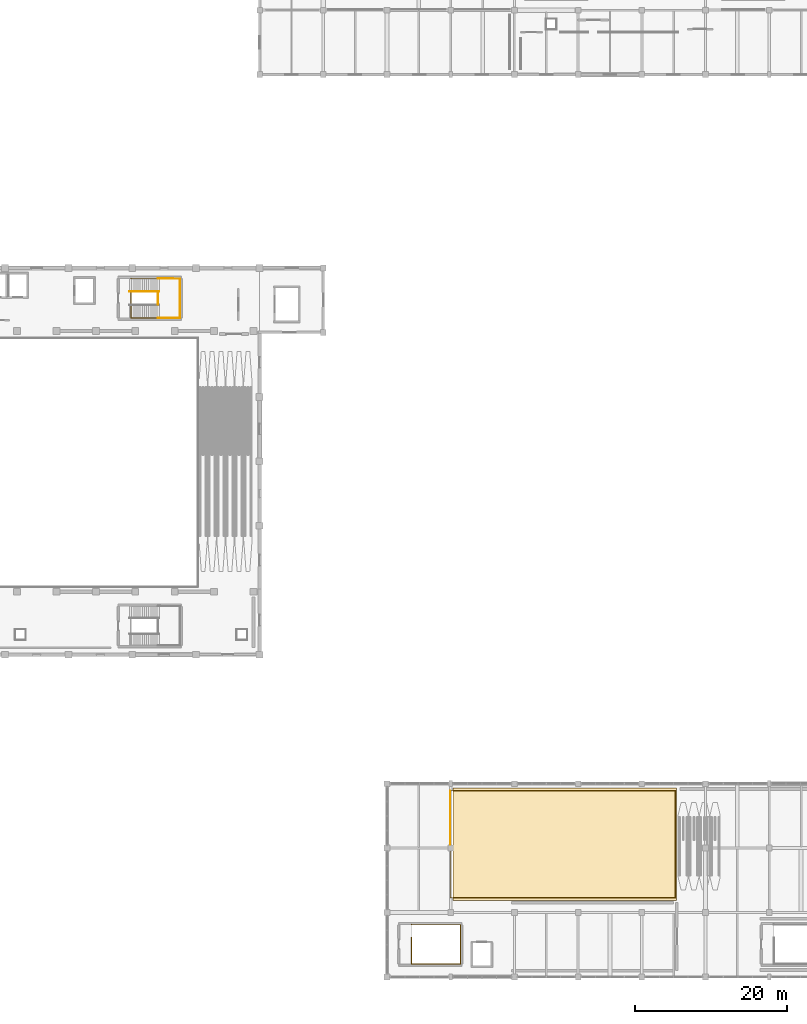
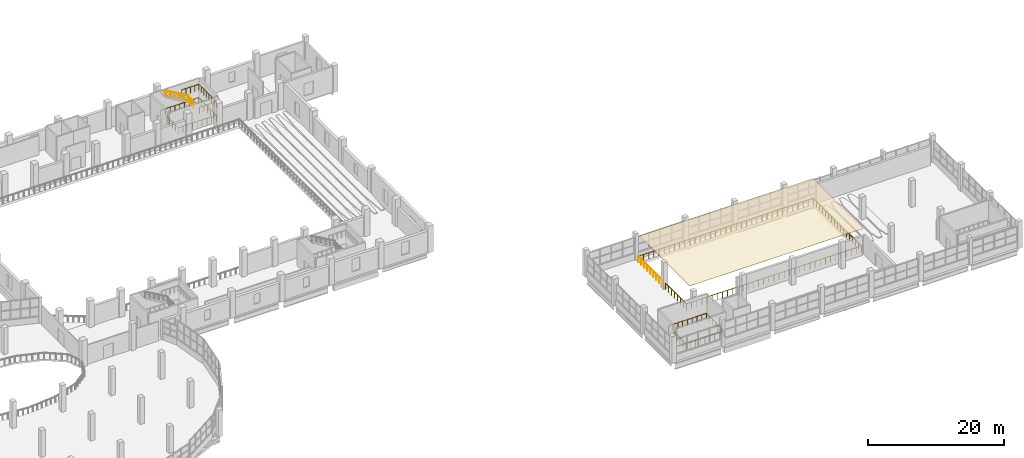
# One storey, part 74 of 77: 7 railings, 1 covering.
"""IFC4 building model written with IfcOpenShell, lengths in metres."""

from ifc_helpers import new_model, si_unit, direction, frame, origin, origin_2d, place, context, subcontext, project, spatial, polyline, circle, outline, extrude, material, layer, layer_set, type_object, element, save


model = new_model("IFC4")

# Units and contexts
model_context = context("Model", 3, precision=1e-05, world=origin(), true_north=direction((0.0, 1.0)))
body_context = subcontext(model_context, "Body", "Model", "MODEL_VIEW")
ifc_project = project(units=[si_unit("LENGTHUNIT", "METRE"), si_unit("AREAUNIT", "SQUARE_METRE"), si_unit("VOLUMEUNIT", "CUBIC_METRE"), si_unit("PLANEANGLEUNIT", "RADIAN"), si_unit("MASSUNIT", "GRAM", prefix="KILO")], contexts=[model_context])

# Site, building, storey
site_placement = place(None, origin())
site = spatial("IfcSite", under=ifc_project, at=site_placement, CompositionType="ELEMENT")
building_placement = place(site_placement, origin())
building = spatial("IfcBuilding", under=site, at=building_placement, Name="Solvento Point Concert Hall", CompositionType="ELEMENT")
storey_placement = place(building_placement, frame((0.0, 0.0, 10.199951171875)))
storey = spatial("IfcBuildingStorey", under=building, at=storey_placement, Name="L02", CompositionType="ELEMENT", Elevation=10.199951171875)

# Covering
ifc_material_1 = material(Name="Suspended Timber-Slat Acoustic Ceiling", Category="wood")
ifc_layer = layer(ifc_material_1, 0.050048828125)
ifc_layer_set = layer_set([ifc_layer], Name="Suspended Timber-Slat Acoustic Ceiling")
covering_type = type_object("IfcCoveringType", Name="AcousticCeiling_Timber", PredefinedType="CEILING", material=ifc_layer_set)
covering_placement = place(storey_placement, frame((0.0, 0.0, 4.35009765625)))
element("IfcCovering", 1, at=covering_placement, inside=storey, type_object=covering_type, Name="Acoustic timber reflector ceiling CLG-V3-CHM", PredefinedType="CEILING", context=body_context, shape_type="SweptSolid", body=[
    extrude(outline(polyline([(158.699951171875, 10.10009765625), (188.199951171875, 10.10009765625), (188.199951171875, 24.89990234375), (158.699951171875, 24.89990234375), (158.699951171875, 10.10009765625)])), origin(), (0.0, 0.0, 1.0), 0.050048828125),
])

# Railings
ifc_material_2 = material(Name="Brushed Stainless Steel Balustrade", Category="steel")
railing_type_1 = type_object("IfcRailingType", Name="StairHandrail_915", PredefinedType="HANDRAIL", material=ifc_material_2)
railing_1_placement = place(storey_placement, frame((119.969970703125, 90.389892578125, 2.56005859375)))
element("IfcRailing", 2, at=railing_1_placement, inside=storey, type_object=railing_type_1, Name="Stair handrail HR-01 ST-03 L02 F2", PredefinedType="HANDRAIL", context=body_context, shape_type="SweptSolid", body=[
    extrude(circle(Radius=0.0224609375, at=origin_2d()), frame((0.0, 0.0, 0.892578125), z_axis=(-0.868239814368, 0.0, 0.496144761885), x_axis=(0.0, -1.0, 0.0)), (0.0, 0.0, 1.0), 4.514892578125),
    extrude(circle(Radius=0.01904296875, at=origin_2d()), origin(), (0.0, 0.0, 1.0), 0.8701171875),
    extrude(circle(Radius=0.01904296875, at=origin_2d()), frame((-0.783935546875, 0.0, 0.447998046875)), (0.0, 0.0, 1.0), 0.8701171875),
    extrude(circle(Radius=0.01904296875, at=origin_2d()), frame((-1.56787109375, 0.0, 0.89599609375)), (0.0, 0.0, 1.0), 0.8701171875),
    extrude(circle(Radius=0.01904296875, at=origin_2d()), frame((-2.35205078125, 0.0, 1.343994140625)), (0.0, 0.0, 1.0), 0.8701171875),
    extrude(circle(Radius=0.01904296875, at=origin_2d()), frame((-3.135986328125, 0.0, 1.7919921875)), (0.0, 0.0, 1.0), 0.8701171875),
    extrude(circle(Radius=0.01904296875, at=origin_2d()), frame((-3.919921875, 0.0, 2.239990234375)), (0.0, 0.0, 1.0), 0.8701171875),
])
ifc_material_3 = material(Name="Brushed Stainless Steel Balustrade", Category="steel")
railing_type_2 = type_object("IfcRailingType", Name="StairWellGuard_1100", PredefinedType="BALUSTRADE", material=ifc_material_3)
railing_2_placement = place(storey_placement, frame((116.219970703125, 90.340087890625, 0.0)))
element("IfcRailing", 3, at=railing_2_placement, inside=storey, type_object=railing_type_2, Name="Stairwell guard GR-02 ST-03 L02", PredefinedType="BALUSTRADE", context=body_context, shape_type="SweptSolid", body=[
    extrude(circle(Radius=0.02392578125, at=origin_2d()), frame((0.0, 0.0, 1.09619140625), z_axis=(0.0, -1.0, 0.0), x_axis=(1.0, 0.0, 0.0)), (0.0, 0.0, 1.0), 3.420166015625),
    extrude(circle(Radius=0.02392578125, at=origin_2d()), frame((0.0, -3.420166015625, 1.09619140625), z_axis=(1.0, 0.0, 0.0), x_axis=(0.0, 1.0, 0.0)), (0.0, 0.0, 1.0), 6.4599609375),
    extrude(circle(Radius=0.02392578125, at=origin_2d()), frame((6.4599609375, -3.420166015625, 1.09619140625), z_axis=(0.0, 1.0, 0.0), x_axis=(-1.0, 0.0, 0.0)), (0.0, 0.0, 1.0), 5.16015625),
    extrude(circle(Radius=0.02392578125, at=origin_2d()), frame((6.4599609375, 1.739990234375, 1.09619140625), z_axis=(-1.0, 0.0, 0.0), x_axis=(0.0, -1.0, 0.0)), (0.0, 0.0, 1.0), 6.4599609375),
    extrude(circle(Radius=0.02392578125, at=origin_2d()), frame((0.0, 1.739990234375, 1.09619140625), z_axis=(0.0, 1.0, 0.0), x_axis=(-1.0, 0.0, 0.0)), (0.0, 0.0, 1.0), 0.02001953125),
    extrude(circle(Radius=0.02099609375, at=origin_2d()), origin(), (0.0, 0.0, 1.0), 1.072021484375),
    extrude(circle(Radius=0.02099609375, at=origin_2d()), frame((0.0, -0.85498046875, 0.0)), (0.0, 0.0, 1.0), 1.072021484375),
    extrude(circle(Radius=0.02099609375, at=origin_2d()), frame((0.0, -1.7099609375, 0.0)), (0.0, 0.0, 1.0), 1.072021484375),
    extrude(circle(Radius=0.02099609375, at=origin_2d()), frame((0.0, -2.565185546875, 0.0)), (0.0, 0.0, 1.0), 1.072021484375),
    extrude(circle(Radius=0.02099609375, at=origin_2d()), frame((0.0, -3.420166015625, 0.0)), (0.0, 0.0, 1.0), 1.072021484375),
    extrude(circle(Radius=0.02099609375, at=origin_2d()), frame((0.8076171875, -3.420166015625, 0.0)), (0.0, 0.0, 1.0), 1.072021484375),
    extrude(circle(Radius=0.02099609375, at=origin_2d()), frame((1.614990234375, -3.420166015625, 0.0)), (0.0, 0.0, 1.0), 1.072021484375),
    extrude(circle(Radius=0.02099609375, at=origin_2d()), frame((2.42236328125, -3.420166015625, 0.0)), (0.0, 0.0, 1.0), 1.072021484375),
    extrude(circle(Radius=0.02099609375, at=origin_2d()), frame((3.22998046875, -3.420166015625, 0.0)), (0.0, 0.0, 1.0), 1.072021484375),
    extrude(circle(Radius=0.02099609375, at=origin_2d()), frame((4.03759765625, -3.420166015625, 0.0)), (0.0, 0.0, 1.0), 1.072021484375),
    extrude(circle(Radius=0.02099609375, at=origin_2d()), frame((4.844970703125, -3.420166015625, 0.0)), (0.0, 0.0, 1.0), 1.072021484375),
    extrude(circle(Radius=0.02099609375, at=origin_2d()), frame((5.65234375, -3.420166015625, 0.0)), (0.0, 0.0, 1.0), 1.072021484375),
    extrude(circle(Radius=0.02099609375, at=origin_2d()), frame((6.4599609375, -3.420166015625, 0.0)), (0.0, 0.0, 1.0), 1.072021484375),
    extrude(circle(Radius=0.02099609375, at=origin_2d()), frame((6.4599609375, -2.56005859375, 0.0)), (0.0, 0.0, 1.0), 1.072021484375),
    extrude(circle(Radius=0.02099609375, at=origin_2d()), frame((6.4599609375, -1.7001953125, 0.0)), (0.0, 0.0, 1.0), 1.072021484375),
    extrude(circle(Radius=0.02099609375, at=origin_2d()), frame((6.4599609375, -0.840087890625, 0.0)), (0.0, 0.0, 1.0), 1.072021484375),
    extrude(circle(Radius=0.02099609375, at=origin_2d()), frame((6.4599609375, 0.02001953125, 0.0)), (0.0, 0.0, 1.0), 1.072021484375),
    extrude(circle(Radius=0.02099609375, at=origin_2d()), frame((6.4599609375, 0.8798828125, 0.0)), (0.0, 0.0, 1.0), 1.072021484375),
    extrude(circle(Radius=0.02099609375, at=origin_2d()), frame((6.4599609375, 1.739990234375, 0.0)), (0.0, 0.0, 1.0), 1.072021484375),
    extrude(circle(Radius=0.02099609375, at=origin_2d()), frame((5.65234375, 1.739990234375, 0.0)), (0.0, 0.0, 1.0), 1.072021484375),
    extrude(circle(Radius=0.02099609375, at=origin_2d()), frame((4.844970703125, 1.739990234375, 0.0)), (0.0, 0.0, 1.0), 1.072021484375),
    extrude(circle(Radius=0.02099609375, at=origin_2d()), frame((4.03759765625, 1.739990234375, 0.0)), (0.0, 0.0, 1.0), 1.072021484375),
    extrude(circle(Radius=0.02099609375, at=origin_2d()), frame((3.22998046875, 1.739990234375, 0.0)), (0.0, 0.0, 1.0), 1.072021484375),
    extrude(circle(Radius=0.02099609375, at=origin_2d()), frame((2.42236328125, 1.739990234375, 0.0)), (0.0, 0.0, 1.0), 1.072021484375),
    extrude(circle(Radius=0.02099609375, at=origin_2d()), frame((1.614990234375, 1.739990234375, 0.0)), (0.0, 0.0, 1.0), 1.072021484375),
    extrude(circle(Radius=0.02099609375, at=origin_2d()), frame((0.8076171875, 1.739990234375, 0.0)), (0.0, 0.0, 1.0), 1.072021484375),
    extrude(circle(Radius=0.02099609375, at=origin_2d()), frame((0.0, 1.739990234375, 0.0)), (0.0, 0.0, 1.0), 1.072021484375),
    extrude(circle(Radius=0.02099609375, at=origin_2d()), frame((0.0, 1.760009765625, 0.0)), (0.0, 0.0, 1.0), 1.072021484375),
])
railing_3_placement = place(storey_placement, frame((119.800048828125, 86.89990234375, 2.400146484375)))
element("IfcRailing", 4, at=railing_3_placement, inside=storey, type_object=railing_type_2, Name="Half-landing perimeter guard GR-02 ST-03 L02", PredefinedType="BALUSTRADE", context=body_context, shape_type="SweptSolid", body=[
    extrude(circle(Radius=0.02392578125, at=origin_2d()), frame((0.0, 0.0, 1.09619140625), z_axis=(0.999976171564, 0.006903354611, 0.0), x_axis=(-0.006903354611, 0.999976171564, 0.0)), (0.0, 0.0, 1.0), 2.89990234375),
    extrude(circle(Radius=0.02392578125, at=origin_2d()), frame((2.89990234375, 0.02001953125, 1.09619140625), z_axis=(0.0, 1.0, 0.0), x_axis=(-1.0, 0.0, 0.0)), (0.0, 0.0, 1.0), 5.16015625),
    extrude(circle(Radius=0.02392578125, at=origin_2d()), frame((2.89990234375, 5.18017578125, 1.09619140625), z_axis=(-0.999976171564, 0.006903354611, 0.0), x_axis=(-0.006903354611, -0.999976171564, 0.0)), (0.0, 0.0, 1.0), 2.89990234375),
    extrude(circle(Radius=0.02099609375, at=origin_2d()), origin(), (0.0, 0.0, 1.0), 1.072021484375),
    extrude(circle(Radius=0.02099609375, at=origin_2d()), frame((0.72509765625, 0.0048828125, 0.0)), (0.0, 0.0, 1.0), 1.072021484375),
    extrude(circle(Radius=0.02099609375, at=origin_2d()), frame((1.449951171875, 0.010009765625, 0.0)), (0.0, 0.0, 1.0), 1.072021484375),
    extrude(circle(Radius=0.02099609375, at=origin_2d()), frame((2.1748046875, 0.01513671875, 0.0)), (0.0, 0.0, 1.0), 1.072021484375),
    extrude(circle(Radius=0.02099609375, at=origin_2d()), frame((2.89990234375, 0.02001953125, 0.0)), (0.0, 0.0, 1.0), 1.072021484375),
    extrude(circle(Radius=0.02099609375, at=origin_2d()), frame((2.89990234375, 0.757080078125, 0.0)), (0.0, 0.0, 1.0), 1.072021484375),
    extrude(circle(Radius=0.02099609375, at=origin_2d()), frame((2.89990234375, 1.494384765625, 0.0)), (0.0, 0.0, 1.0), 1.072021484375),
    extrude(circle(Radius=0.02099609375, at=origin_2d()), frame((2.89990234375, 2.2314453125, 0.0)), (0.0, 0.0, 1.0), 1.072021484375),
    extrude(circle(Radius=0.02099609375, at=origin_2d()), frame((2.89990234375, 2.96875, 0.0)), (0.0, 0.0, 1.0), 1.072021484375),
    extrude(circle(Radius=0.02099609375, at=origin_2d()), frame((2.89990234375, 3.705810546875, 0.0)), (0.0, 0.0, 1.0), 1.072021484375),
    extrude(circle(Radius=0.02099609375, at=origin_2d()), frame((2.89990234375, 4.443115234375, 0.0)), (0.0, 0.0, 1.0), 1.072021484375),
    extrude(circle(Radius=0.02099609375, at=origin_2d()), frame((2.89990234375, 5.18017578125, 0.0)), (0.0, 0.0, 1.0), 1.072021484375),
    extrude(circle(Radius=0.02099609375, at=origin_2d()), frame((2.1748046875, 5.18505859375, 0.0)), (0.0, 0.0, 1.0), 1.072021484375),
    extrude(circle(Radius=0.02099609375, at=origin_2d()), frame((1.449951171875, 5.190185546875, 0.0)), (0.0, 0.0, 1.0), 1.072021484375),
    extrude(circle(Radius=0.02099609375, at=origin_2d()), frame((0.72509765625, 5.1953125, 0.0)), (0.0, 0.0, 1.0), 1.072021484375),
    extrude(circle(Radius=0.02099609375, at=origin_2d()), frame((0.0, 5.2001953125, 0.0)), (0.0, 0.0, 1.0), 1.072021484375),
])
railing_4_placement = place(storey_placement, frame((119.800048828125, 88.659912109375, 2.400146484375)))
element("IfcRailing", 5, at=railing_4_placement, inside=storey, type_object=railing_type_2, Name="Half-landing slot guard GR-02 ST-03 L02", PredefinedType="BALUSTRADE", context=body_context, shape_type="SweptSolid", body=[
    extrude(circle(Radius=0.02392578125, at=origin_2d()), frame((0.0, 0.0, 1.09619140625), z_axis=(0.0, 1.0, 0.0), x_axis=(-1.0, 0.0, 0.0)), (0.0, 0.0, 1.0), 1.68017578125),
    extrude(circle(Radius=0.02099609375, at=origin_2d()), origin(), (0.0, 0.0, 1.0), 1.072021484375),
    extrude(circle(Radius=0.02099609375, at=origin_2d()), frame((0.0, 0.56005859375, 0.0)), (0.0, 0.0, 1.0), 1.072021484375),
    extrude(circle(Radius=0.02099609375, at=origin_2d()), frame((0.0, 1.1201171875, 0.0)), (0.0, 0.0, 1.0), 1.072021484375),
    extrude(circle(Radius=0.02099609375, at=origin_2d()), frame((0.0, 1.68017578125, 0.0)), (0.0, 0.0, 1.0), 1.072021484375),
])
railing_5_placement = place(storey_placement, frame((153.219970703125, 5.219970703125, 0.0)))
element("IfcRailing", 6, at=railing_5_placement, inside=storey, type_object=railing_type_2, Name="Stairwell guard GR-02 ST-08 L02", PredefinedType="BALUSTRADE", context=body_context, shape_type="SweptSolid", body=[
    extrude(circle(Radius=0.02392578125, at=origin_2d()), frame((0.0, 0.0, 1.09619140625), z_axis=(0.0, -1.0, 0.0), x_axis=(1.0, 0.0, 0.0)), (0.0, 0.0, 1.0), 3.5),
    extrude(circle(Radius=0.02392578125, at=origin_2d()), frame((0.0, -3.5, 1.09619140625), z_axis=(1.0, 0.0, 0.0), x_axis=(0.0, 1.0, 0.0)), (0.0, 0.0, 1.0), 6.4599609375),
    extrude(circle(Radius=0.02392578125, at=origin_2d()), frame((6.4599609375, -3.5, 1.09619140625), z_axis=(0.0, 1.0, 0.0), x_axis=(-1.0, 0.0, 0.0)), (0.0, 0.0, 1.0), 5.159912109375),
    extrude(circle(Radius=0.02392578125, at=origin_2d()), frame((6.4599609375, 1.659912109375, 1.09619140625), z_axis=(-1.0, 0.0, 0.0), x_axis=(0.0, -1.0, 0.0)), (0.0, 0.0, 1.0), 6.4599609375),
    extrude(circle(Radius=0.02392578125, at=origin_2d()), frame((0.0, 1.659912109375, 1.09619140625), z_axis=(0.0, 1.0, 0.0), x_axis=(-1.0, 0.0, 0.0)), (0.0, 0.0, 1.0), 0.02001953125),
    extrude(circle(Radius=0.02099609375, at=origin_2d()), origin(), (0.0, 0.0, 1.0), 1.072021484375),
    extrude(circle(Radius=0.02099609375, at=origin_2d()), frame((0.0, -0.875, 0.0)), (0.0, 0.0, 1.0), 1.072021484375),
    extrude(circle(Radius=0.02099609375, at=origin_2d()), frame((0.0, -1.75, 0.0)), (0.0, 0.0, 1.0), 1.072021484375),
    extrude(circle(Radius=0.02099609375, at=origin_2d()), frame((0.0, -2.625, 0.0)), (0.0, 0.0, 1.0), 1.072021484375),
    extrude(circle(Radius=0.02099609375, at=origin_2d()), frame((0.0, -3.5, 0.0)), (0.0, 0.0, 1.0), 1.072021484375),
    extrude(circle(Radius=0.02099609375, at=origin_2d()), frame((0.8076171875, -3.5, 0.0)), (0.0, 0.0, 1.0), 1.072021484375),
    extrude(circle(Radius=0.02099609375, at=origin_2d()), frame((1.614990234375, -3.5, 0.0)), (0.0, 0.0, 1.0), 1.072021484375),
    extrude(circle(Radius=0.02099609375, at=origin_2d()), frame((2.42236328125, -3.5, 0.0)), (0.0, 0.0, 1.0), 1.072021484375),
    extrude(circle(Radius=0.02099609375, at=origin_2d()), frame((3.22998046875, -3.5, 0.0)), (0.0, 0.0, 1.0), 1.072021484375),
    extrude(circle(Radius=0.02099609375, at=origin_2d()), frame((4.03759765625, -3.5, 0.0)), (0.0, 0.0, 1.0), 1.072021484375),
    extrude(circle(Radius=0.02099609375, at=origin_2d()), frame((4.844970703125, -3.5, 0.0)), (0.0, 0.0, 1.0), 1.072021484375),
    extrude(circle(Radius=0.02099609375, at=origin_2d()), frame((5.65234375, -3.5, 0.0)), (0.0, 0.0, 1.0), 1.072021484375),
    extrude(circle(Radius=0.02099609375, at=origin_2d()), frame((6.4599609375, -3.5, 0.0)), (0.0, 0.0, 1.0), 1.072021484375),
    extrude(circle(Radius=0.02099609375, at=origin_2d()), frame((6.4599609375, -2.64013671875, 0.0)), (0.0, 0.0, 1.0), 1.072021484375),
    extrude(circle(Radius=0.02099609375, at=origin_2d()), frame((6.4599609375, -1.780029296875, 0.0)), (0.0, 0.0, 1.0), 1.072021484375),
    extrude(circle(Radius=0.02099609375, at=origin_2d()), frame((6.4599609375, -0.919921875, 0.0)), (0.0, 0.0, 1.0), 1.072021484375),
    extrude(circle(Radius=0.02099609375, at=origin_2d()), frame((6.4599609375, -0.06005859375, 0.0)), (0.0, 0.0, 1.0), 1.072021484375),
    extrude(circle(Radius=0.02099609375, at=origin_2d()), frame((6.4599609375, 0.7998046875, 0.0)), (0.0, 0.0, 1.0), 1.072021484375),
    extrude(circle(Radius=0.02099609375, at=origin_2d()), frame((6.4599609375, 1.659912109375, 0.0)), (0.0, 0.0, 1.0), 1.072021484375),
    extrude(circle(Radius=0.02099609375, at=origin_2d()), frame((5.65234375, 1.659912109375, 0.0)), (0.0, 0.0, 1.0), 1.072021484375),
    extrude(circle(Radius=0.02099609375, at=origin_2d()), frame((4.844970703125, 1.659912109375, 0.0)), (0.0, 0.0, 1.0), 1.072021484375),
    extrude(circle(Radius=0.02099609375, at=origin_2d()), frame((4.03759765625, 1.659912109375, 0.0)), (0.0, 0.0, 1.0), 1.072021484375),
    extrude(circle(Radius=0.02099609375, at=origin_2d()), frame((3.22998046875, 1.659912109375, 0.0)), (0.0, 0.0, 1.0), 1.072021484375),
    extrude(circle(Radius=0.02099609375, at=origin_2d()), frame((2.42236328125, 1.659912109375, 0.0)), (0.0, 0.0, 1.0), 1.072021484375),
    extrude(circle(Radius=0.02099609375, at=origin_2d()), frame((1.614990234375, 1.659912109375, 0.0)), (0.0, 0.0, 1.0), 1.072021484375),
    extrude(circle(Radius=0.02099609375, at=origin_2d()), frame((0.8076171875, 1.659912109375, 0.0)), (0.0, 0.0, 1.0), 1.072021484375),
    extrude(circle(Radius=0.02099609375, at=origin_2d()), frame((0.0, 1.659912109375, 0.0)), (0.0, 0.0, 1.0), 1.072021484375),
    extrude(circle(Radius=0.02099609375, at=origin_2d()), frame((0.0, 1.679931640625, 0.0)), (0.0, 0.0, 1.0), 1.072021484375),
])
ifc_material_4 = material(Name="Brushed Stainless Steel Balustrade", Category="steel")
railing_type_3 = type_object("IfcRailingType", Name="TerraceBalustrade_1100", PredefinedType="BALUSTRADE", material=ifc_material_4)
railing_6_placement = place(storey_placement, frame((158.340087890625, 24.56005859375, 0.0)))
element("IfcRailing", 7, at=railing_6_placement, inside=storey, type_object=railing_type_3, Name="Guard balustrade GR-01 L02", PredefinedType="BALUSTRADE", context=body_context, shape_type="SweptSolid", body=[
    extrude(circle(Radius=0.02392578125, at=origin_2d()), frame((0.0, 0.0, 1.09619140625), z_axis=(0.0, -1.0, 0.0), x_axis=(1.0, 0.0, 0.0)), (0.0, 0.0, 1.0), 7.135009765625),
    extrude(circle(Radius=0.02099609375, at=origin_2d()), origin(), (0.0, 0.0, 1.0), 1.072021484375),
    extrude(circle(Radius=0.02099609375, at=origin_2d()), frame((0.0, -0.891845703125, 0.0)), (0.0, 0.0, 1.0), 1.072021484375),
    extrude(circle(Radius=0.02099609375, at=origin_2d()), frame((0.0, -1.78369140625, 0.0)), (0.0, 0.0, 1.0), 1.072021484375),
    extrude(circle(Radius=0.02099609375, at=origin_2d()), frame((0.0, -2.675537109375, 0.0)), (0.0, 0.0, 1.0), 1.072021484375),
    extrude(circle(Radius=0.02099609375, at=origin_2d()), frame((0.0, -3.5673828125, 0.0)), (0.0, 0.0, 1.0), 1.072021484375),
    extrude(circle(Radius=0.02099609375, at=origin_2d()), frame((0.0, -4.45947265625, 0.0)), (0.0, 0.0, 1.0), 1.072021484375),
    extrude(circle(Radius=0.02099609375, at=origin_2d()), frame((0.0, -5.351318359375, 0.0)), (0.0, 0.0, 1.0), 1.072021484375),
    extrude(circle(Radius=0.02099609375, at=origin_2d()), frame((0.0, -6.2431640625, 0.0)), (0.0, 0.0, 1.0), 1.072021484375),
    extrude(circle(Radius=0.02099609375, at=origin_2d()), frame((0.0, -7.135009765625, 0.0)), (0.0, 0.0, 1.0), 1.072021484375),
])
railing_7_placement = place(storey_placement, frame((158.340087890625, 16.574951171875, 0.0)))
element("IfcRailing", 8, at=railing_7_placement, inside=storey, type_object=railing_type_3, Name="Guard balustrade GR-01 L02", PredefinedType="BALUSTRADE", context=body_context, shape_type="SweptSolid", body=[
    extrude(circle(Radius=0.02392578125, at=origin_2d()), frame((0.0, 0.0, 1.09619140625), z_axis=(0.0, -1.0, 0.0), x_axis=(1.0, 0.0, 0.0)), (0.0, 0.0, 1.0), 6.135009765625),
    extrude(circle(Radius=0.02392578125, at=origin_2d()), frame((0.0, -6.135009765625, 1.09619140625), z_axis=(1.0, 0.0, 0.0), x_axis=(0.0, 1.0, 0.0)), (0.0, 0.0, 1.0), 29.719970703125),
    extrude(circle(Radius=0.02392578125, at=origin_2d()), frame((29.719970703125, -6.135009765625, 1.09619140625), z_axis=(0.0, 1.0, 0.0), x_axis=(-1.0, 0.0, 0.0)), (0.0, 0.0, 1.0), 14.1201171875),
    extrude(circle(Radius=0.02392578125, at=origin_2d()), frame((29.719970703125, 7.985107421875, 1.09619140625), z_axis=(-1.0, 0.0, 0.0), x_axis=(0.0, -1.0, 0.0)), (0.0, 0.0, 1.0), 29.719970703125),
    extrude(circle(Radius=0.02099609375, at=origin_2d()), origin(), (0.0, 0.0, 1.0), 1.072021484375),
    extrude(circle(Radius=0.02099609375, at=origin_2d()), frame((0.0, -0.87646484375, 0.0)), (0.0, 0.0, 1.0), 1.072021484375),
    extrude(circle(Radius=0.02099609375, at=origin_2d()), frame((0.0, -1.7529296875, 0.0)), (0.0, 0.0, 1.0), 1.072021484375),
    extrude(circle(Radius=0.02099609375, at=origin_2d()), frame((0.0, -2.62939453125, 0.0)), (0.0, 0.0, 1.0), 1.072021484375),
    extrude(circle(Radius=0.02099609375, at=origin_2d()), frame((0.0, -3.505615234375, 0.0)), (0.0, 0.0, 1.0), 1.072021484375),
    extrude(circle(Radius=0.02099609375, at=origin_2d()), frame((0.0, -4.382080078125, 0.0)), (0.0, 0.0, 1.0), 1.072021484375),
    extrude(circle(Radius=0.02099609375, at=origin_2d()), frame((0.0, -5.258544921875, 0.0)), (0.0, 0.0, 1.0), 1.072021484375),
    extrude(circle(Radius=0.02099609375, at=origin_2d()), frame((0.0, -6.135009765625, 0.0)), (0.0, 0.0, 1.0), 1.072021484375),
    extrude(circle(Radius=0.02099609375, at=origin_2d()), frame((0.8740234375, -6.135009765625, 0.0)), (0.0, 0.0, 1.0), 1.072021484375),
    extrude(circle(Radius=0.02099609375, at=origin_2d()), frame((1.748291015625, -6.135009765625, 0.0)), (0.0, 0.0, 1.0), 1.072021484375),
    extrude(circle(Radius=0.02099609375, at=origin_2d()), frame((2.622314453125, -6.135009765625, 0.0)), (0.0, 0.0, 1.0), 1.072021484375),
    extrude(circle(Radius=0.02099609375, at=origin_2d()), frame((3.49658203125, -6.135009765625, 0.0)), (0.0, 0.0, 1.0), 1.072021484375),
    extrude(circle(Radius=0.02099609375, at=origin_2d()), frame((4.37060546875, -6.135009765625, 0.0)), (0.0, 0.0, 1.0), 1.072021484375),
    extrude(circle(Radius=0.02099609375, at=origin_2d()), frame((5.24462890625, -6.135009765625, 0.0)), (0.0, 0.0, 1.0), 1.072021484375),
    extrude(circle(Radius=0.02099609375, at=origin_2d()), frame((6.118896484375, -6.135009765625, 0.0)), (0.0, 0.0, 1.0), 1.072021484375),
    extrude(circle(Radius=0.02099609375, at=origin_2d()), frame((6.992919921875, -6.135009765625, 0.0)), (0.0, 0.0, 1.0), 1.072021484375),
    extrude(circle(Radius=0.02099609375, at=origin_2d()), frame((7.866943359375, -6.135009765625, 0.0)), (0.0, 0.0, 1.0), 1.072021484375),
    extrude(circle(Radius=0.02099609375, at=origin_2d()), frame((8.7412109375, -6.135009765625, 0.0)), (0.0, 0.0, 1.0), 1.072021484375),
    extrude(circle(Radius=0.02099609375, at=origin_2d()), frame((9.615234375, -6.135009765625, 0.0)), (0.0, 0.0, 1.0), 1.072021484375),
    extrude(circle(Radius=0.02099609375, at=origin_2d()), frame((10.489501953125, -6.135009765625, 0.0)), (0.0, 0.0, 1.0), 1.072021484375),
    extrude(circle(Radius=0.02099609375, at=origin_2d()), frame((11.363525390625, -6.135009765625, 0.0)), (0.0, 0.0, 1.0), 1.072021484375),
    extrude(circle(Radius=0.02099609375, at=origin_2d()), frame((12.237548828125, -6.135009765625, 0.0)), (0.0, 0.0, 1.0), 1.072021484375),
    extrude(circle(Radius=0.02099609375, at=origin_2d()), frame((13.11181640625, -6.135009765625, 0.0)), (0.0, 0.0, 1.0), 1.072021484375),
    extrude(circle(Radius=0.02099609375, at=origin_2d()), frame((13.98583984375, -6.135009765625, 0.0)), (0.0, 0.0, 1.0), 1.072021484375),
    extrude(circle(Radius=0.02099609375, at=origin_2d()), frame((14.85986328125, -6.135009765625, 0.0)), (0.0, 0.0, 1.0), 1.072021484375),
    extrude(circle(Radius=0.02099609375, at=origin_2d()), frame((15.734130859375, -6.135009765625, 0.0)), (0.0, 0.0, 1.0), 1.072021484375),
    extrude(circle(Radius=0.02099609375, at=origin_2d()), frame((16.608154296875, -6.135009765625, 0.0)), (0.0, 0.0, 1.0), 1.072021484375),
    extrude(circle(Radius=0.02099609375, at=origin_2d()), frame((17.482421875, -6.135009765625, 0.0)), (0.0, 0.0, 1.0), 1.072021484375),
    extrude(circle(Radius=0.02099609375, at=origin_2d()), frame((18.3564453125, -6.135009765625, 0.0)), (0.0, 0.0, 1.0), 1.072021484375),
    extrude(circle(Radius=0.02099609375, at=origin_2d()), frame((19.23046875, -6.135009765625, 0.0)), (0.0, 0.0, 1.0), 1.072021484375),
    extrude(circle(Radius=0.02099609375, at=origin_2d()), frame((20.104736328125, -6.135009765625, 0.0)), (0.0, 0.0, 1.0), 1.072021484375),
    extrude(circle(Radius=0.02099609375, at=origin_2d()), frame((20.978759765625, -6.135009765625, 0.0)), (0.0, 0.0, 1.0), 1.072021484375),
    extrude(circle(Radius=0.02099609375, at=origin_2d()), frame((21.85302734375, -6.135009765625, 0.0)), (0.0, 0.0, 1.0), 1.072021484375),
    extrude(circle(Radius=0.02099609375, at=origin_2d()), frame((22.72705078125, -6.135009765625, 0.0)), (0.0, 0.0, 1.0), 1.072021484375),
    extrude(circle(Radius=0.02099609375, at=origin_2d()), frame((23.60107421875, -6.135009765625, 0.0)), (0.0, 0.0, 1.0), 1.072021484375),
    extrude(circle(Radius=0.02099609375, at=origin_2d()), frame((24.475341796875, -6.135009765625, 0.0)), (0.0, 0.0, 1.0), 1.072021484375),
    extrude(circle(Radius=0.02099609375, at=origin_2d()), frame((25.349365234375, -6.135009765625, 0.0)), (0.0, 0.0, 1.0), 1.072021484375),
    extrude(circle(Radius=0.02099609375, at=origin_2d()), frame((26.223388671875, -6.135009765625, 0.0)), (0.0, 0.0, 1.0), 1.072021484375),
    extrude(circle(Radius=0.02099609375, at=origin_2d()), frame((27.09765625, -6.135009765625, 0.0)), (0.0, 0.0, 1.0), 1.072021484375),
    extrude(circle(Radius=0.02099609375, at=origin_2d()), frame((27.9716796875, -6.135009765625, 0.0)), (0.0, 0.0, 1.0), 1.072021484375),
    extrude(circle(Radius=0.02099609375, at=origin_2d()), frame((28.845947265625, -6.135009765625, 0.0)), (0.0, 0.0, 1.0), 1.072021484375),
    extrude(circle(Radius=0.02099609375, at=origin_2d()), frame((29.719970703125, -6.135009765625, 0.0)), (0.0, 0.0, 1.0), 1.072021484375),
    extrude(circle(Radius=0.02099609375, at=origin_2d()), frame((29.719970703125, -5.25244140625, 0.0)), (0.0, 0.0, 1.0), 1.072021484375),
    extrude(circle(Radius=0.02099609375, at=origin_2d()), frame((29.719970703125, -4.3701171875, 0.0)), (0.0, 0.0, 1.0), 1.072021484375),
    extrude(circle(Radius=0.02099609375, at=origin_2d()), frame((29.719970703125, -3.487548828125, 0.0)), (0.0, 0.0, 1.0), 1.072021484375),
    extrude(circle(Radius=0.02099609375, at=origin_2d()), frame((29.719970703125, -2.60498046875, 0.0)), (0.0, 0.0, 1.0), 1.072021484375),
    extrude(circle(Radius=0.02099609375, at=origin_2d()), frame((29.719970703125, -1.722412109375, 0.0)), (0.0, 0.0, 1.0), 1.072021484375),
    extrude(circle(Radius=0.02099609375, at=origin_2d()), frame((29.719970703125, -0.83984375, 0.0)), (0.0, 0.0, 1.0), 1.072021484375),
    extrude(circle(Radius=0.02099609375, at=origin_2d()), frame((29.719970703125, 0.04248046875, 0.0)), (0.0, 0.0, 1.0), 1.072021484375),
    extrude(circle(Radius=0.02099609375, at=origin_2d()), frame((29.719970703125, 0.925048828125, 0.0)), (0.0, 0.0, 1.0), 1.072021484375),
    extrude(circle(Radius=0.02099609375, at=origin_2d()), frame((29.719970703125, 1.8076171875, 0.0)), (0.0, 0.0, 1.0), 1.072021484375),
    extrude(circle(Radius=0.02099609375, at=origin_2d()), frame((29.719970703125, 2.68994140625, 0.0)), (0.0, 0.0, 1.0), 1.072021484375),
    extrude(circle(Radius=0.02099609375, at=origin_2d()), frame((29.719970703125, 3.572509765625, 0.0)), (0.0, 0.0, 1.0), 1.072021484375),
    extrude(circle(Radius=0.02099609375, at=origin_2d()), frame((29.719970703125, 4.455078125, 0.0)), (0.0, 0.0, 1.0), 1.072021484375),
    extrude(circle(Radius=0.02099609375, at=origin_2d()), frame((29.719970703125, 5.337646484375, 0.0)), (0.0, 0.0, 1.0), 1.072021484375),
    extrude(circle(Radius=0.02099609375, at=origin_2d()), frame((29.719970703125, 6.22021484375, 0.0)), (0.0, 0.0, 1.0), 1.072021484375),
    extrude(circle(Radius=0.02099609375, at=origin_2d()), frame((29.719970703125, 7.1025390625, 0.0)), (0.0, 0.0, 1.0), 1.072021484375),
    extrude(circle(Radius=0.02099609375, at=origin_2d()), frame((29.719970703125, 7.985107421875, 0.0)), (0.0, 0.0, 1.0), 1.072021484375),
    extrude(circle(Radius=0.02099609375, at=origin_2d()), frame((28.845947265625, 7.985107421875, 0.0)), (0.0, 0.0, 1.0), 1.072021484375),
    extrude(circle(Radius=0.02099609375, at=origin_2d()), frame((27.9716796875, 7.985107421875, 0.0)), (0.0, 0.0, 1.0), 1.072021484375),
    extrude(circle(Radius=0.02099609375, at=origin_2d()), frame((27.09765625, 7.985107421875, 0.0)), (0.0, 0.0, 1.0), 1.072021484375),
    extrude(circle(Radius=0.02099609375, at=origin_2d()), frame((26.223388671875, 7.985107421875, 0.0)), (0.0, 0.0, 1.0), 1.072021484375),
    extrude(circle(Radius=0.02099609375, at=origin_2d()), frame((25.349365234375, 7.985107421875, 0.0)), (0.0, 0.0, 1.0), 1.072021484375),
    extrude(circle(Radius=0.02099609375, at=origin_2d()), frame((24.475341796875, 7.985107421875, 0.0)), (0.0, 0.0, 1.0), 1.072021484375),
    extrude(circle(Radius=0.02099609375, at=origin_2d()), frame((23.60107421875, 7.985107421875, 0.0)), (0.0, 0.0, 1.0), 1.072021484375),
    extrude(circle(Radius=0.02099609375, at=origin_2d()), frame((22.72705078125, 7.985107421875, 0.0)), (0.0, 0.0, 1.0), 1.072021484375),
    extrude(circle(Radius=0.02099609375, at=origin_2d()), frame((21.85302734375, 7.985107421875, 0.0)), (0.0, 0.0, 1.0), 1.072021484375),
    extrude(circle(Radius=0.02099609375, at=origin_2d()), frame((20.978759765625, 7.985107421875, 0.0)), (0.0, 0.0, 1.0), 1.072021484375),
    extrude(circle(Radius=0.02099609375, at=origin_2d()), frame((20.104736328125, 7.985107421875, 0.0)), (0.0, 0.0, 1.0), 1.072021484375),
    extrude(circle(Radius=0.02099609375, at=origin_2d()), frame((19.23046875, 7.985107421875, 0.0)), (0.0, 0.0, 1.0), 1.072021484375),
    extrude(circle(Radius=0.02099609375, at=origin_2d()), frame((18.3564453125, 7.985107421875, 0.0)), (0.0, 0.0, 1.0), 1.072021484375),
    extrude(circle(Radius=0.02099609375, at=origin_2d()), frame((17.482421875, 7.985107421875, 0.0)), (0.0, 0.0, 1.0), 1.072021484375),
    extrude(circle(Radius=0.02099609375, at=origin_2d()), frame((16.608154296875, 7.985107421875, 0.0)), (0.0, 0.0, 1.0), 1.072021484375),
    extrude(circle(Radius=0.02099609375, at=origin_2d()), frame((15.734130859375, 7.985107421875, 0.0)), (0.0, 0.0, 1.0), 1.072021484375),
    extrude(circle(Radius=0.02099609375, at=origin_2d()), frame((14.85986328125, 7.985107421875, 0.0)), (0.0, 0.0, 1.0), 1.072021484375),
    extrude(circle(Radius=0.02099609375, at=origin_2d()), frame((13.98583984375, 7.985107421875, 0.0)), (0.0, 0.0, 1.0), 1.072021484375),
    extrude(circle(Radius=0.02099609375, at=origin_2d()), frame((13.11181640625, 7.985107421875, 0.0)), (0.0, 0.0, 1.0), 1.072021484375),
    extrude(circle(Radius=0.02099609375, at=origin_2d()), frame((12.237548828125, 7.985107421875, 0.0)), (0.0, 0.0, 1.0), 1.072021484375),
    extrude(circle(Radius=0.02099609375, at=origin_2d()), frame((11.363525390625, 7.985107421875, 0.0)), (0.0, 0.0, 1.0), 1.072021484375),
    extrude(circle(Radius=0.02099609375, at=origin_2d()), frame((10.489501953125, 7.985107421875, 0.0)), (0.0, 0.0, 1.0), 1.072021484375),
    extrude(circle(Radius=0.02099609375, at=origin_2d()), frame((9.615234375, 7.985107421875, 0.0)), (0.0, 0.0, 1.0), 1.072021484375),
    extrude(circle(Radius=0.02099609375, at=origin_2d()), frame((8.7412109375, 7.985107421875, 0.0)), (0.0, 0.0, 1.0), 1.072021484375),
    extrude(circle(Radius=0.02099609375, at=origin_2d()), frame((7.866943359375, 7.985107421875, 0.0)), (0.0, 0.0, 1.0), 1.072021484375),
    extrude(circle(Radius=0.02099609375, at=origin_2d()), frame((6.992919921875, 7.985107421875, 0.0)), (0.0, 0.0, 1.0), 1.072021484375),
    extrude(circle(Radius=0.02099609375, at=origin_2d()), frame((6.118896484375, 7.985107421875, 0.0)), (0.0, 0.0, 1.0), 1.072021484375),
    extrude(circle(Radius=0.02099609375, at=origin_2d()), frame((5.24462890625, 7.985107421875, 0.0)), (0.0, 0.0, 1.0), 1.072021484375),
    extrude(circle(Radius=0.02099609375, at=origin_2d()), frame((4.37060546875, 7.985107421875, 0.0)), (0.0, 0.0, 1.0), 1.072021484375),
    extrude(circle(Radius=0.02099609375, at=origin_2d()), frame((3.49658203125, 7.985107421875, 0.0)), (0.0, 0.0, 1.0), 1.072021484375),
    extrude(circle(Radius=0.02099609375, at=origin_2d()), frame((2.622314453125, 7.985107421875, 0.0)), (0.0, 0.0, 1.0), 1.072021484375),
    extrude(circle(Radius=0.02099609375, at=origin_2d()), frame((1.748291015625, 7.985107421875, 0.0)), (0.0, 0.0, 1.0), 1.072021484375),
    extrude(circle(Radius=0.02099609375, at=origin_2d()), frame((0.8740234375, 7.985107421875, 0.0)), (0.0, 0.0, 1.0), 1.072021484375),
    extrude(circle(Radius=0.02099609375, at=origin_2d()), frame((0.0, 7.985107421875, 0.0)), (0.0, 0.0, 1.0), 1.072021484375),
])

save(model, "model.ifc")
